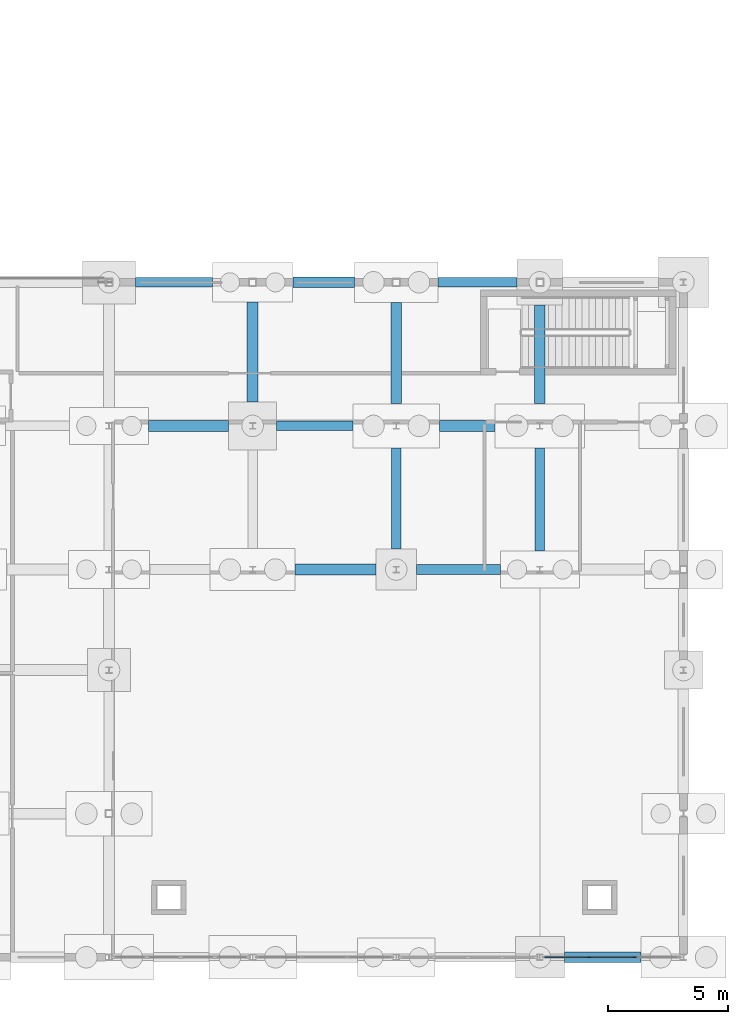
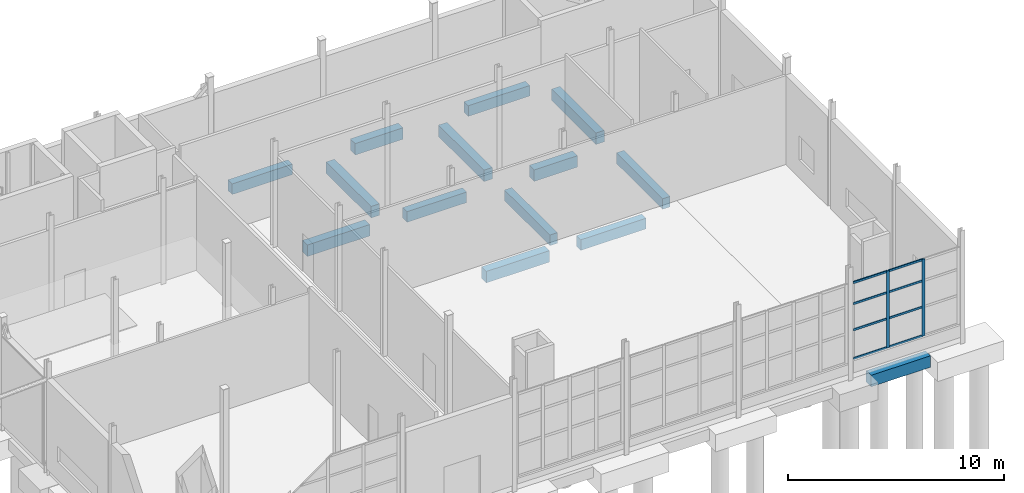
# One storey, part 58 of 120: 14 beams, 10 members, 1 element without a shape of its own.
"""IFC4 building model written with IfcOpenShell, lengths in metres."""

from ifc_helpers import new_model, si_unit, direction, frame, origin, origin_2d, place, context, subcontext, project, spatial, rectangle, extrude, material, material_profile, profile_set, type_object, element, aggregate, save


model = new_model("IFC4")

# Units and contexts
model_context = context("Model", 3, precision=1e-05, world=origin(), true_north=direction((0.0, 1.0)))
body_context = subcontext(model_context, "Body", "Model", "MODEL_VIEW")
ifc_project = project(units=[si_unit("LENGTHUNIT", "METRE"), si_unit("AREAUNIT", "SQUARE_METRE"), si_unit("VOLUMEUNIT", "CUBIC_METRE"), si_unit("PLANEANGLEUNIT", "RADIAN"), si_unit("MASSUNIT", "GRAM", prefix="KILO")], contexts=[model_context])

# Site, building, storey
site_placement = place(None, origin())
site = spatial("IfcSite", under=ifc_project, at=site_placement, CompositionType="ELEMENT")
building_placement = place(site_placement, origin())
building = spatial("IfcBuilding", under=site, at=building_placement, Name="Siltcreek Boulevard Central Fire Station", CompositionType="ELEMENT")
storey_placement = place(building_placement, origin())
storey = spatial("IfcBuildingStorey", under=building, at=storey_placement, Name="L01", CompositionType="ELEMENT", Elevation=0.0)

# Curtain wall, members
ifc_material_1 = material(Name="Anodized aluminum and low-E insulated glazing", Category="aluminium")
curtain_wall_type = type_object("IfcCurtainWallType", Name="CW_SYS_10", PredefinedType="USERDEFINED", material=ifc_material_1)
curtain_wall_placement = place(storey_placement, origin())
curtain_wall = element("IfcCurtainWall", 1, at=curtain_wall_placement, inside=storey, type_object=curtain_wall_type, Name="L01 V6 unitised curtain wall CW-189", ObjectType="CURTAIN WALL", PredefinedType="USERDEFINED")
ifc_material_2 = material(Name="Anodized 6063-T6 aluminum framing", Category="aluminium")
ifc_material_profile_1 = material_profile(ifc_material_2, rectangle(XDim=0.06005859375, YDim=0.14990234375, at=origin_2d()), Name="MULL60X150")
ifc_profile_set_1 = profile_set([ifc_material_profile_1], Name="Anodized 6063-T6 aluminum framing")
member_type_1 = type_object("IfcMemberType", Name="CWM_60X150", PredefinedType="MULLION", material=ifc_profile_set_1)
member_1_placement = place(storey_placement, frame((162.248291015625, 1.800048828125, 0.679931640625), z_axis=(0.0, 0.0, 1.0), x_axis=(0.0, 1.0, 0.0)))
member_1 = element("IfcMember", 2, at=member_1_placement, type_object=member_type_1, Name="CW-189 mullion 2", PredefinedType="MULLION", context=body_context, shape_type="SweptSolid", body=[
    extrude(rectangle(XDim=0.06005859375, YDim=0.14990234375, at=origin_2d()), origin(), (0.0, 0.0, 1.0), 4.35498046875),
])
member_2_placement = place(storey_placement, frame((164.151611328125, 1.800048828125, 0.679931640625), z_axis=(0.0, 0.0, 1.0), x_axis=(0.0, 1.0, 0.0)))
member_2 = element("IfcMember", 3, at=member_2_placement, type_object=member_type_1, Name="CW-189 mullion 3", PredefinedType="MULLION", context=body_context, shape_type="SweptSolid", body=[
    extrude(rectangle(XDim=0.06005859375, YDim=0.14990234375, at=origin_2d()), origin(), (0.0, 0.0, 1.0), 4.35498046875),
])
ifc_material_profile_2 = material_profile(ifc_material_2, rectangle(XDim=0.06005859375, YDim=0.114990234375, at=origin_2d()), Name="TRAN60X115")
ifc_profile_set_2 = profile_set([ifc_material_profile_2], Name="Anodized 6063-T6 aluminum framing")
member_type_2 = type_object("IfcMemberType", Name="CWT_60X115", PredefinedType="USERDEFINED", material=ifc_profile_set_2)
member_3_placement = place(storey_placement, frame((160.405029296875, 1.800048828125, 0.7099609375), z_axis=(1.0, 0.0, 0.0), x_axis=(0.0, 1.0, 0.0)))
member_3 = element("IfcMember", 4, at=member_3_placement, type_object=member_type_2, Name="CW-189 transom 1.1", ObjectType="TRANSOM", PredefinedType="USERDEFINED", context=body_context, shape_type="SweptSolid", body=[
    extrude(rectangle(XDim=0.06005859375, YDim=0.114990234375, at=origin_2d()), origin(), (0.0, 0.0, 1.0), 1.813232421875),
])
member_4_placement = place(storey_placement, frame((160.405029296875, 1.800048828125, 2.3349609375), z_axis=(1.0, 0.0, 0.0), x_axis=(0.0, 1.0, 0.0)))
member_4 = element("IfcMember", 5, at=member_4_placement, type_object=member_type_2, Name="CW-189 transom 1.2", ObjectType="TRANSOM", PredefinedType="USERDEFINED", context=body_context, shape_type="SweptSolid", body=[
    extrude(rectangle(XDim=0.06005859375, YDim=0.114990234375, at=origin_2d()), origin(), (0.0, 0.0, 1.0), 1.813232421875),
])
member_5_placement = place(storey_placement, frame((160.405029296875, 1.800048828125, 3.815673828125), z_axis=(1.0, 0.0, 0.0), x_axis=(0.0, 1.0, 0.0)))
member_5 = element("IfcMember", 6, at=member_5_placement, type_object=member_type_2, Name="CW-189 transom 1.3", ObjectType="TRANSOM", PredefinedType="USERDEFINED", context=body_context, shape_type="SweptSolid", body=[
    extrude(rectangle(XDim=0.06005859375, YDim=0.114990234375, at=origin_2d()), origin(), (0.0, 0.0, 1.0), 1.813232421875),
])
member_6_placement = place(storey_placement, frame((160.405029296875, 1.800048828125, 5.0048828125), z_axis=(1.0, 0.0, 0.0), x_axis=(0.0, 1.0, 0.0)))
member_6 = element("IfcMember", 7, at=member_6_placement, type_object=member_type_2, Name="CW-189 transom 1.4", ObjectType="TRANSOM", PredefinedType="USERDEFINED", context=body_context, shape_type="SweptSolid", body=[
    extrude(rectangle(XDim=0.06005859375, YDim=0.114990234375, at=origin_2d()), origin(), (0.0, 0.0, 1.0), 1.813232421875),
])
member_7_placement = place(storey_placement, frame((162.2783203125, 1.800048828125, 0.7099609375), z_axis=(1.0, 0.0, 0.0), x_axis=(0.0, 1.0, 0.0)))
member_7 = element("IfcMember", 8, at=member_7_placement, type_object=member_type_2, Name="CW-189 transom 2.1", ObjectType="TRANSOM", PredefinedType="USERDEFINED", context=body_context, shape_type="SweptSolid", body=[
    extrude(rectangle(XDim=0.06005859375, YDim=0.114990234375, at=origin_2d()), origin(), (0.0, 0.0, 1.0), 1.84326171875),
])
member_8_placement = place(storey_placement, frame((162.2783203125, 1.800048828125, 2.3349609375), z_axis=(1.0, 0.0, 0.0), x_axis=(0.0, 1.0, 0.0)))
member_8 = element("IfcMember", 9, at=member_8_placement, type_object=member_type_2, Name="CW-189 transom 2.2", ObjectType="TRANSOM", PredefinedType="USERDEFINED", context=body_context, shape_type="SweptSolid", body=[
    extrude(rectangle(XDim=0.06005859375, YDim=0.114990234375, at=origin_2d()), origin(), (0.0, 0.0, 1.0), 1.84326171875),
])
member_9_placement = place(storey_placement, frame((162.2783203125, 1.800048828125, 3.815673828125), z_axis=(1.0, 0.0, 0.0), x_axis=(0.0, 1.0, 0.0)))
member_9 = element("IfcMember", 10, at=member_9_placement, type_object=member_type_2, Name="CW-189 transom 2.3", ObjectType="TRANSOM", PredefinedType="USERDEFINED", context=body_context, shape_type="SweptSolid", body=[
    extrude(rectangle(XDim=0.06005859375, YDim=0.114990234375, at=origin_2d()), origin(), (0.0, 0.0, 1.0), 1.84326171875),
])
member_10_placement = place(storey_placement, frame((162.2783203125, 1.800048828125, 5.0048828125), z_axis=(1.0, 0.0, 0.0), x_axis=(0.0, 1.0, 0.0)))
member_10 = element("IfcMember", 11, at=member_10_placement, type_object=member_type_2, Name="CW-189 transom 2.4", ObjectType="TRANSOM", PredefinedType="USERDEFINED", context=body_context, shape_type="SweptSolid", body=[
    extrude(rectangle(XDim=0.06005859375, YDim=0.114990234375, at=origin_2d()), origin(), (0.0, 0.0, 1.0), 1.84326171875),
])
aggregate(curtain_wall, [member_1, member_2, member_3, member_4, member_5, member_6, member_7, member_8, member_9, member_10])

# Beams
ifc_material_3 = material(Name="Concrete C35/45", Category="concrete")
ifc_material_profile_3 = material_profile(ifc_material_3, rectangle(XDim=0.39990234375, YDim=0.60009765625, at=origin_2d()), Name="RC400X600")
ifc_profile_set_3 = profile_set([ifc_material_profile_3], Name="Concrete C35/45")
beam_type_1 = type_object("IfcBeamType", Name="GB_RC400X600", PredefinedType="USERDEFINED", material=ifc_profile_set_3)
beam_1_placement = place(storey_placement, frame((155.052001953125, 18.0, -0.7099609375), z_axis=(1.0, 0.0, 0.0), x_axis=(0.0, 1.0, 0.0)))
element("IfcBeam", 12, at=beam_1_placement, inside=storey, type_object=beam_type_1, Name="Reinforced concrete tie grade beam GB-049", ObjectType="GRADE BEAM", PredefinedType="USERDEFINED", context=body_context, shape_type="SweptSolid", body=[
    extrude(rectangle(XDim=0.39990234375, YDim=0.60009765625, at=origin_2d()), origin(), (0.0, 0.0, 1.0), 3.49609375),
])
beam_2_placement = place(storey_placement, frame((149.201904296875, 24.0, -0.7099609375), z_axis=(1.0, 0.0, 0.0), x_axis=(0.0, 1.0, 0.0)))
element("IfcBeam", 13, at=beam_2_placement, inside=storey, type_object=beam_type_1, Name="Reinforced concrete tie grade beam GB-063", ObjectType="GRADE BEAM", PredefinedType="USERDEFINED", context=body_context, shape_type="SweptSolid", body=[
    extrude(rectangle(XDim=0.39990234375, YDim=0.60009765625, at=origin_2d()), origin(), (0.0, 0.0, 1.0), 3.196044921875),
])
beam_3_placement = place(storey_placement, frame((143.302001953125, 30.0, -0.7099609375), z_axis=(1.0, 0.0, 0.0), x_axis=(0.0, 1.0, 0.0)))
element("IfcBeam", 14, at=beam_3_placement, inside=storey, type_object=beam_type_1, Name="Reinforced concrete tie grade beam GB-077", ObjectType="GRADE BEAM", PredefinedType="USERDEFINED", context=body_context, shape_type="SweptSolid", body=[
    extrude(rectangle(XDim=0.39990234375, YDim=0.60009765625, at=origin_2d()), origin(), (0.0, 0.0, 1.0), 3.220947265625),
])
beam_4_placement = place(storey_placement, frame((155.951904296875, 30.0, -0.7099609375), z_axis=(1.0, 0.0, 0.0), x_axis=(0.0, 1.0, 0.0)))
element("IfcBeam", 15, at=beam_4_placement, inside=storey, type_object=beam_type_1, Name="Reinforced concrete tie grade beam GB-079", ObjectType="GRADE BEAM", PredefinedType="USERDEFINED", context=body_context, shape_type="SweptSolid", body=[
    extrude(rectangle(XDim=0.39990234375, YDim=0.60009765625, at=origin_2d()), origin(), (0.0, 0.0, 1.0), 3.296142578125),
])
beam_5_placement = place(storey_placement, frame((154.199951171875, 18.85205078125, -0.7099609375), z_axis=(0.0, 1.0, 0.0), x_axis=(-1.0, 0.0, 0.0)))
element("IfcBeam", 16, at=beam_5_placement, inside=storey, type_object=beam_type_1, Name="Reinforced concrete tie grade beam GB-227", ObjectType="GRADE BEAM", PredefinedType="USERDEFINED", context=body_context, shape_type="SweptSolid", body=[
    extrude(rectangle(XDim=0.39990234375, YDim=0.60009765625, at=origin_2d()), origin(), (0.0, 0.0, 1.0), 4.220947265625),
])
beam_6_placement = place(storey_placement, frame((160.199951171875, 18.777099609375, -0.7099609375), z_axis=(0.0, 1.0, 0.0), x_axis=(-1.0, 0.0, 0.0)))
element("IfcBeam", 17, at=beam_6_placement, inside=storey, type_object=beam_type_1, Name="Reinforced concrete tie grade beam GB-229", ObjectType="GRADE BEAM", PredefinedType="USERDEFINED", context=body_context, shape_type="SweptSolid", body=[
    extrude(rectangle(XDim=0.39990234375, YDim=0.60009765625, at=origin_2d()), origin(), (0.0, 0.0, 1.0), 4.2958984375),
])
ifc_material_profile_4 = material_profile(ifc_material_3, rectangle(XDim=0.449951171875, YDim=0.64990234375, at=origin_2d()), Name="RC450X650")
ifc_profile_set_4 = profile_set([ifc_material_profile_4], Name="Concrete C35/45")
beam_type_2 = type_object("IfcBeamType", Name="GB_RC450X650", PredefinedType="USERDEFINED", material=ifc_profile_set_4)
beam_7_placement = place(storey_placement, frame((161.22705078125, 1.800048828125, -0.735107421875), z_axis=(1.0, 0.0, 0.0), x_axis=(0.0, 1.0, 0.0)))
element("IfcBeam", 18, at=beam_7_placement, inside=storey, type_object=beam_type_2, Name="Reinforced concrete tie grade beam GB-010", ObjectType="GRADE BEAM", PredefinedType="USERDEFINED", context=body_context, shape_type="SweptSolid", body=[
    extrude(rectangle(XDim=0.449951171875, YDim=0.64990234375, at=origin_2d()), origin(), (0.0, 0.0, 1.0), 3.196044921875),
])
beam_8_placement = place(storey_placement, frame((149.97705078125, 18.0, -0.735107421875), z_axis=(1.0, 0.0, 0.0), x_axis=(0.0, 1.0, 0.0)))
element("IfcBeam", 19, at=beam_8_placement, inside=storey, type_object=beam_type_2, Name="Reinforced concrete tie grade beam GB-048", ObjectType="GRADE BEAM", PredefinedType="USERDEFINED", context=body_context, shape_type="SweptSolid", body=[
    extrude(rectangle(XDim=0.449951171875, YDim=0.64990234375, at=origin_2d()), origin(), (0.0, 0.0, 1.0), 3.370849609375),
])
beam_9_placement = place(storey_placement, frame((143.85205078125, 24.0, -0.735107421875), z_axis=(1.0, 0.0, 0.0), x_axis=(0.0, 1.0, 0.0)))
element("IfcBeam", 20, at=beam_9_placement, inside=storey, type_object=beam_type_2, Name="Reinforced concrete tie grade beam GB-062", ObjectType="GRADE BEAM", PredefinedType="USERDEFINED", context=body_context, shape_type="SweptSolid", body=[
    extrude(rectangle(XDim=0.449951171875, YDim=0.64990234375, at=origin_2d()), origin(), (0.0, 0.0, 1.0), 3.345947265625),
])
beam_10_placement = place(storey_placement, frame((156.001953125, 24.0, -0.735107421875), z_axis=(1.0, 0.0, 0.0), x_axis=(0.0, 1.0, 0.0)))
element("IfcBeam", 21, at=beam_10_placement, inside=storey, type_object=beam_type_2, Name="Reinforced concrete tie grade beam GB-064", ObjectType="GRADE BEAM", PredefinedType="USERDEFINED", context=body_context, shape_type="SweptSolid", body=[
    extrude(rectangle(XDim=0.449951171875, YDim=0.64990234375, at=origin_2d()), origin(), (0.0, 0.0, 1.0), 2.321044921875),
])
beam_11_placement = place(storey_placement, frame((149.876953125, 30.0, -0.735107421875), z_axis=(1.0, 0.0, 0.0), x_axis=(0.0, 1.0, 0.0)))
element("IfcBeam", 22, at=beam_11_placement, inside=storey, type_object=beam_type_2, Name="Reinforced concrete tie grade beam GB-078", ObjectType="GRADE BEAM", PredefinedType="USERDEFINED", context=body_context, shape_type="SweptSolid", body=[
    extrude(rectangle(XDim=0.449951171875, YDim=0.64990234375, at=origin_2d()), origin(), (0.0, 0.0, 1.0), 2.571044921875),
])
beam_12_placement = place(storey_placement, frame((148.199951171875, 25.001953125, -0.735107421875), z_axis=(0.0, 1.0, 0.0), x_axis=(-1.0, 0.0, 0.0)))
element("IfcBeam", 23, at=beam_12_placement, inside=storey, type_object=beam_type_2, Name="Reinforced concrete tie grade beam GB-226", ObjectType="GRADE BEAM", PredefinedType="USERDEFINED", context=body_context, shape_type="SweptSolid", body=[
    extrude(rectangle(XDim=0.449951171875, YDim=0.64990234375, at=origin_2d()), origin(), (0.0, 0.0, 1.0), 4.171142578125),
])
beam_13_placement = place(storey_placement, frame((154.199951171875, 24.927001953125, -0.735107421875), z_axis=(0.0, 1.0, 0.0), x_axis=(-1.0, 0.0, 0.0)))
element("IfcBeam", 24, at=beam_13_placement, inside=storey, type_object=beam_type_2, Name="Reinforced concrete tie grade beam GB-228", ObjectType="GRADE BEAM", PredefinedType="USERDEFINED", context=body_context, shape_type="SweptSolid", body=[
    extrude(rectangle(XDim=0.449951171875, YDim=0.64990234375, at=origin_2d()), origin(), (0.0, 0.0, 1.0), 4.220947265625),
])
beam_14_placement = place(storey_placement, frame((160.199951171875, 24.927001953125, -0.735107421875), z_axis=(0.0, 1.0, 0.0), x_axis=(-1.0, 0.0, 0.0)))
element("IfcBeam", 25, at=beam_14_placement, inside=storey, type_object=beam_type_2, Name="Reinforced concrete tie grade beam GB-230", ObjectType="GRADE BEAM", PredefinedType="USERDEFINED", context=body_context, shape_type="SweptSolid", body=[
    extrude(rectangle(XDim=0.449951171875, YDim=0.64990234375, at=origin_2d()), origin(), (0.0, 0.0, 1.0), 4.12109375),
])

save(model, "model.ifc")
